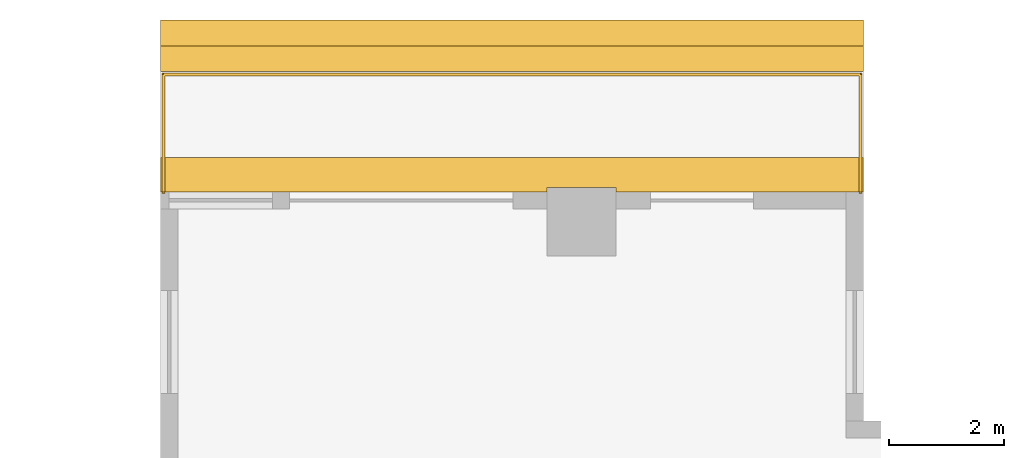
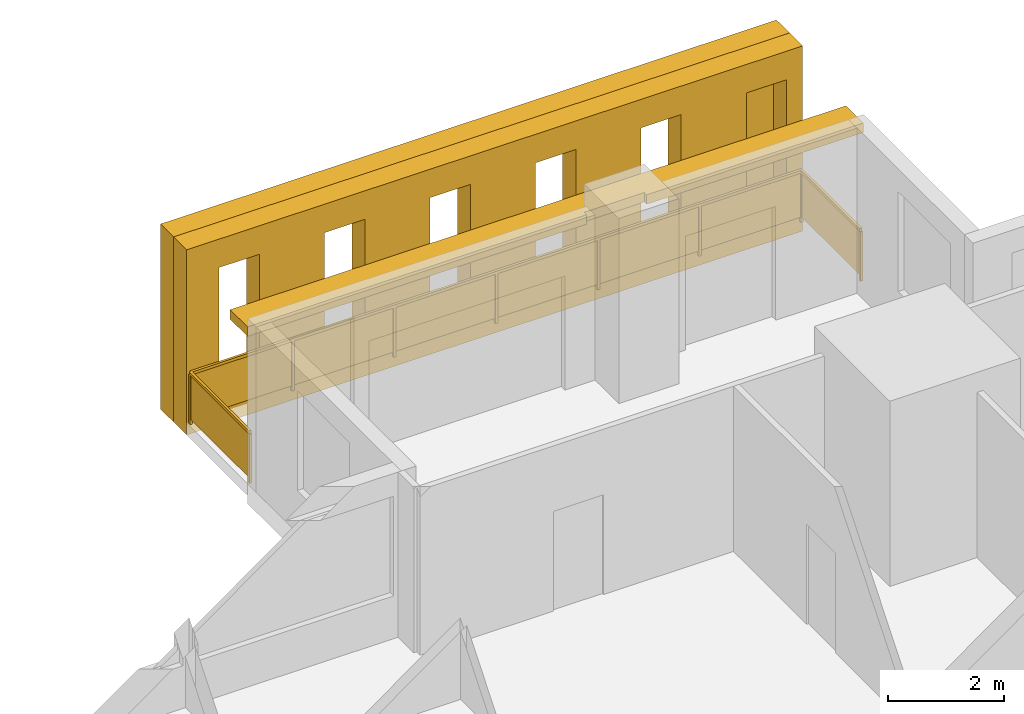
# One storey, part 15 of 15: 3 shading devices, 1 railing.
"""IFC4 building model written with IfcOpenShell, lengths in metres."""

from ifc_helpers import new_model, si_unit, direction, frame, origin, origin_2d, place, context, subcontext, project, spatial, polyline, rectangle, outline, extrude, material, layer, layer_set, type_object, element, save


model = new_model("IFC4")

# Units and contexts
model_context = context("Model", 3, precision=1e-05, world=origin(), true_north=direction((0.0, 1.0)))
body_context = subcontext(model_context, "Body", "Model", "MODEL_VIEW")
ifc_project = project(units=[si_unit("LENGTHUNIT", "METRE"), si_unit("AREAUNIT", "SQUARE_METRE"), si_unit("VOLUMEUNIT", "CUBIC_METRE"), si_unit("PLANEANGLEUNIT", "RADIAN"), si_unit("MASSUNIT", "GRAM", prefix="KILO")], contexts=[model_context])

# Site, building, storey
site_placement = place(None, origin())
site = spatial("IfcSite", under=ifc_project, at=site_placement, CompositionType="ELEMENT")
building_placement = place(site_placement, origin())
building = spatial("IfcBuilding", under=site, at=building_placement, Name="Khepri Terraces", CompositionType="ELEMENT")
storey_placement = place(building_placement, frame((0.0, 0.0, 161.10009765625)))
storey = spatial("IfcBuildingStorey", under=building, at=storey_placement, Name="L38", CompositionType="ELEMENT", Elevation=161.10009765625)

# Railing
ifc_material_1 = material(Name="Stainless steel grade 316", Category="steel")
railing_type = type_object("IfcRailingType", Name="GRD-BAL-1100", PredefinedType="GUARDRAIL", material=ifc_material_1)
railing_placement = place(storey_placement, frame((21.669921875, 25.719970703125, 0.0)))
element("IfcRailing", 1, at=railing_placement, inside=storey, type_object=railing_type, Name="Balcony guard L38 N", PredefinedType="GUARDRAIL", context=body_context, shape_type="SweptSolid", body=[
    extrude(rectangle(XDim=0.050048828125, YDim=0.06005859375, at=origin_2d()), frame((0.0, 0.0, 1.070068359375), z_axis=(0.0, 1.0, 0.0), x_axis=(-1.0, 0.0, 0.0)), (0.0, 0.0, 1.0), 2.050048828125),
    extrude(rectangle(XDim=2.0, YDim=0.011962890625, at=origin_2d()), frame((0.0, 1.02490234375, 0.10009765625), z_axis=(0.0, 0.0, 1.0), x_axis=(0.0, 1.0, 0.0)), (0.0, 0.0, 1.0), 0.93994140625),
    extrude(rectangle(XDim=0.050048828125, YDim=0.06005859375, at=origin_2d()), frame((0.0, 2.050048828125, 1.070068359375), z_axis=(-1.0, 0.0, 0.0), x_axis=(0.0, -1.0, 0.0)), (0.0, 0.0, 1.0), 12.169921875),
    extrude(rectangle(XDim=1.978271484375, YDim=0.011962890625, at=origin_2d()), frame((-1.01416015625, 2.050048828125, 0.10009765625), z_axis=(0.0, 0.0, 1.0), x_axis=(-1.0, 0.0, 0.0)), (0.0, 0.0, 1.0), 0.93994140625),
    extrude(rectangle(XDim=1.978271484375, YDim=0.011962890625, at=origin_2d()), frame((-3.04248046875, 2.050048828125, 0.10009765625), z_axis=(0.0, 0.0, 1.0), x_axis=(-1.0, 0.0, 0.0)), (0.0, 0.0, 1.0), 0.93994140625),
    extrude(rectangle(XDim=1.978271484375, YDim=0.011962890625, at=origin_2d()), frame((-5.07080078125, 2.050048828125, 0.10009765625), z_axis=(0.0, 0.0, 1.0), x_axis=(-1.0, 0.0, 0.0)), (0.0, 0.0, 1.0), 0.93994140625),
    extrude(rectangle(XDim=1.978271484375, YDim=0.011962890625, at=origin_2d()), frame((-7.09912109375, 2.050048828125, 0.10009765625), z_axis=(0.0, 0.0, 1.0), x_axis=(-1.0, 0.0, 0.0)), (0.0, 0.0, 1.0), 0.93994140625),
    extrude(rectangle(XDim=1.978271484375, YDim=0.011962890625, at=origin_2d()), frame((-9.12744140625, 2.050048828125, 0.10009765625), z_axis=(0.0, 0.0, 1.0), x_axis=(-1.0, 0.0, 0.0)), (0.0, 0.0, 1.0), 0.93994140625),
    extrude(rectangle(XDim=1.978271484375, YDim=0.011962890625, at=origin_2d()), frame((-11.15576171875, 2.050048828125, 0.10009765625), z_axis=(0.0, 0.0, 1.0), x_axis=(-1.0, 0.0, 0.0)), (0.0, 0.0, 1.0), 0.93994140625),
    extrude(rectangle(XDim=0.050048828125, YDim=0.06005859375, at=origin_2d()), frame((-12.169921875, 2.050048828125, 1.070068359375), z_axis=(0.0, -1.0, 0.0), x_axis=(1.0, 0.0, 0.0)), (0.0, 0.0, 1.0), 2.050048828125),
    extrude(rectangle(XDim=2.0, YDim=0.011962890625, at=origin_2d()), frame((-12.169921875, 1.02490234375, 0.10009765625), z_axis=(0.0, 0.0, 1.0), x_axis=(0.0, -1.0, 0.0)), (0.0, 0.0, 1.0), 0.93994140625),
    extrude(rectangle(XDim=0.050048828125, YDim=0.050048828125, at=origin_2d()), origin(), (0.0, 0.0, 1.0), 1.0400390625),
    extrude(rectangle(XDim=0.050048828125, YDim=0.050048828125, at=origin_2d()), frame((0.0, 2.050048828125, 0.0)), (0.0, 0.0, 1.0), 1.0400390625),
    extrude(rectangle(XDim=0.050048828125, YDim=0.050048828125, at=origin_2d()), frame((-2.0283203125, 2.050048828125, 0.0)), (0.0, 0.0, 1.0), 1.0400390625),
    extrude(rectangle(XDim=0.050048828125, YDim=0.050048828125, at=origin_2d()), frame((-4.056640625, 2.050048828125, 0.0)), (0.0, 0.0, 1.0), 1.0400390625),
    extrude(rectangle(XDim=0.050048828125, YDim=0.050048828125, at=origin_2d()), frame((-6.0849609375, 2.050048828125, 0.0)), (0.0, 0.0, 1.0), 1.0400390625),
    extrude(rectangle(XDim=0.050048828125, YDim=0.050048828125, at=origin_2d()), frame((-8.11328125, 2.050048828125, 0.0)), (0.0, 0.0, 1.0), 1.0400390625),
    extrude(rectangle(XDim=0.050048828125, YDim=0.050048828125, at=origin_2d()), frame((-10.1416015625, 2.050048828125, 0.0)), (0.0, 0.0, 1.0), 1.0400390625),
    extrude(rectangle(XDim=0.050048828125, YDim=0.050048828125, at=origin_2d()), frame((-12.169921875, 2.050048828125, 0.0)), (0.0, 0.0, 1.0), 1.0400390625),
    extrude(rectangle(XDim=0.050048828125, YDim=0.050048828125, at=origin_2d()), frame((-12.169921875, 0.0, 0.0)), (0.0, 0.0, 1.0), 1.0400390625),
])

# Shading devices
ifc_material_2 = material(Name="Precast concrete C50/60 warm stone", Category="masonry")
shading_device_type_1 = type_object("IfcShadingDeviceType", Name="SCR-CELL-INNER-450", PredefinedType="USERDEFINED", material=ifc_material_2)
shading_device_1_placement = place(storey_placement, frame((21.719970703125, 27.820068359375, -0.25), z_axis=(0.0, 1.0, 0.0), x_axis=(-1.0, 0.0, 0.0)))
element("IfcShadingDevice", 2, at=shading_device_1_placement, inside=storey, type_object=shading_device_type_1, Name="Cell screen L38 N in", ObjectType="SCREEN", PredefinedType="USERDEFINED", context=body_context, shape_type="SweptSolid", body=[
    extrude(outline(polyline([(0.0, 0.0), (12.27001953125, 0.0), (12.27001953125, 3.89990234375), (0.0, 3.89990234375), (0.0, 0.0)]), holes=[polyline([(0.318359375, 0.699951171875), (1.12158203125, 0.699951171875), (1.12158203125, 3.300048828125), (0.318359375, 3.300048828125), (0.318359375, 0.699951171875)]), polyline([(2.41845703125, 0.699951171875), (3.2216796875, 0.699951171875), (3.2216796875, 3.300048828125), (2.41845703125, 3.300048828125), (2.41845703125, 0.699951171875)]), polyline([(4.518310546875, 0.699951171875), (5.321533203125, 0.699951171875), (5.321533203125, 3.300048828125), (4.518310546875, 3.300048828125), (4.518310546875, 0.699951171875)]), polyline([(6.618408203125, 0.699951171875), (7.421630859375, 0.699951171875), (7.421630859375, 3.300048828125), (6.618408203125, 3.300048828125), (6.618408203125, 0.699951171875)]), polyline([(8.718505859375, 0.699951171875), (9.521484375, 0.699951171875), (9.521484375, 3.300048828125), (8.718505859375, 3.300048828125), (8.718505859375, 0.699951171875)]), polyline([(10.818359375, 0.699951171875), (11.62158203125, 0.699951171875), (11.62158203125, 3.300048828125), (10.818359375, 3.300048828125), (10.818359375, 0.699951171875)])]), origin(), (0.0, 0.0, 1.0), 0.449951171875),
])
shading_device_type_2 = type_object("IfcShadingDeviceType", Name="SCR-CELL-OUTER-450", PredefinedType="USERDEFINED", material=ifc_material_2)
shading_device_2_placement = place(storey_placement, frame((21.719970703125, 28.27001953125, -0.25), z_axis=(0.0, 1.0, 0.0), x_axis=(-1.0, 0.0, 0.0)))
element("IfcShadingDevice", 3, at=shading_device_2_placement, inside=storey, type_object=shading_device_type_2, Name="Cell screen L38 N out", ObjectType="SCREEN", PredefinedType="USERDEFINED", context=body_context, shape_type="SweptSolid", body=[
    extrude(outline(polyline([(0.0, 0.0), (12.27001953125, 0.0), (12.27001953125, 3.89990234375), (0.0, 3.89990234375), (0.0, 0.0)]), holes=[polyline([(2.068359375, 0.449951171875), (3.571533203125, 0.449951171875), (3.571533203125, 3.550048828125), (2.068359375, 3.550048828125), (2.068359375, 0.449951171875)]), polyline([(4.16845703125, 0.449951171875), (5.671630859375, 0.449951171875), (5.671630859375, 3.550048828125), (4.16845703125, 3.550048828125), (4.16845703125, 0.449951171875)]), polyline([(6.268310546875, 0.449951171875), (7.771484375, 0.449951171875), (7.771484375, 3.550048828125), (6.268310546875, 3.550048828125), (6.268310546875, 0.449951171875)]), polyline([(8.368408203125, 0.449951171875), (9.87158203125, 0.449951171875), (9.87158203125, 3.550048828125), (8.368408203125, 3.550048828125), (8.368408203125, 0.449951171875)]), polyline([(10.468505859375, 0.449951171875), (11.9716796875, 0.449951171875), (11.9716796875, 3.550048828125), (10.468505859375, 3.550048828125), (10.468505859375, 0.449951171875)])]), origin(), (0.0, 0.0, 1.0), 0.449951171875),
])
ifc_layer = layer(ifc_material_2, 0.199951171875, Name="Precast concrete C50/60 warm stone", Category="masonry")
ifc_layer_set = layer_set([ifc_layer], Name="Precast concrete C50/60 warm stone")
shading_device_type_3 = type_object("IfcShadingDeviceType", Name="SSH-BAND-STONE-200-N", PredefinedType="USERDEFINED", material=ifc_layer_set)
shading_device_3_placement = place(storey_placement, frame((0.0, 0.0, 3.099853515625)))
element("IfcShadingDevice", 4, at=shading_device_3_placement, inside=storey, type_object=shading_device_type_3, Name="Sunshade band L38 N", ObjectType="SUNSHADE", PredefinedType="USERDEFINED", context=body_context, shape_type="SweptSolid", body=[
    extrude(outline(polyline([(17.39990234375, 25.719970703125), (21.719970703125, 25.719970703125), (21.719970703125, 26.320068359375), (9.449951171875, 26.320068359375), (9.449951171875, 25.719970703125), (16.199951171875, 25.719970703125), (16.199951171875, 25.800048828125), (17.39990234375, 25.800048828125), (17.39990234375, 25.719970703125)])), origin(), (0.0, 0.0, 1.0), 0.199951171875),
])

save(model, "model.ifc")
